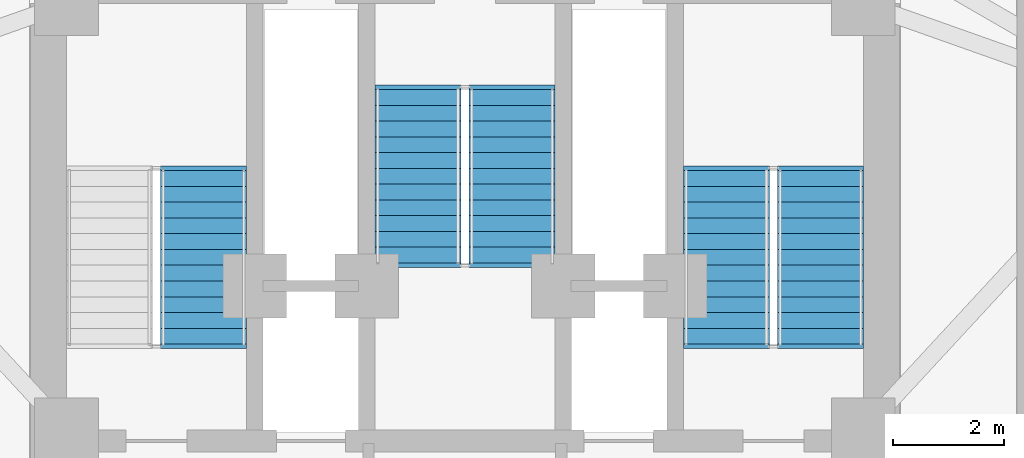
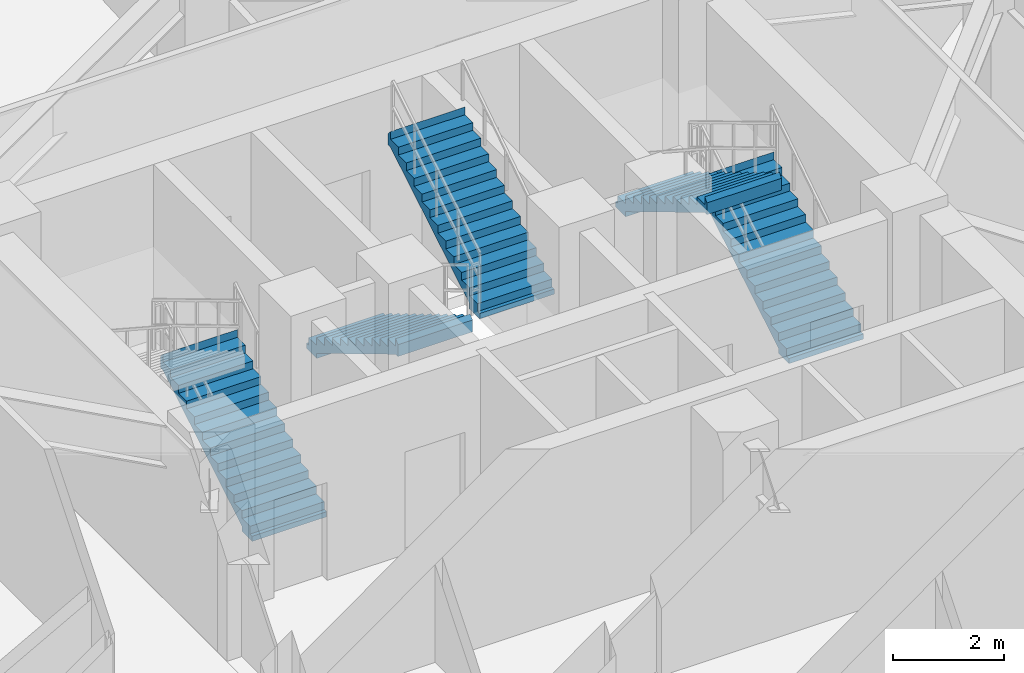
# One storey, part 7 of 11: 5 stair flights, 3 elements without a shape of their own.
"""IFC4 building model written with IfcOpenShell, lengths in metres."""

from ifc_helpers import new_model, si_unit, direction, frame, origin, place, context, subcontext, project, spatial, polyline, outline, extrude, material, type_object, element, aggregate, save


model = new_model("IFC4")

# Units and contexts
model_context = context("Model", 3, precision=1e-05, world=origin(), true_north=direction((0.0, 1.0)))
body_context = subcontext(model_context, "Body", "Model", "MODEL_VIEW")
ifc_project = project(units=[si_unit("LENGTHUNIT", "METRE"), si_unit("AREAUNIT", "SQUARE_METRE"), si_unit("VOLUMEUNIT", "CUBIC_METRE"), si_unit("PLANEANGLEUNIT", "RADIAN"), si_unit("MASSUNIT", "GRAM", prefix="KILO")], contexts=[model_context])

# Site, building, storey
site_placement = place(None, origin())
site = spatial("IfcSite", under=ifc_project, at=site_placement, CompositionType="ELEMENT")
building_placement = place(site_placement, origin())
building = spatial("IfcBuilding", under=site, at=building_placement, Name="Apsidion Concourse Tower", CompositionType="ELEMENT")
storey_placement = place(building_placement, frame((0.0, 0.0, 206.5)))
storey = spatial("IfcBuildingStorey", under=building, at=storey_placement, Name="L48", CompositionType="ELEMENT", Elevation=206.5)

# Stair, stair flight
ifc_material = material(Name="Precast concrete C40/50", Category="concrete")
stair_type = type_object("IfcStairType", Name="ST-DL-1550", PredefinedType="HALF_TURN_STAIR", material=ifc_material)
stair_1_placement = place(storey_placement, origin())
stair_1 = element("IfcStair", 1, at=stair_1_placement, inside=storey, type_object=stair_type, Name="L48 Protected Core Exit Stair ST1", PredefinedType="HALF_TURN_STAIR")
stair_flight_type = type_object("IfcStairFlightType", Name="SFL-RC-1550", PredefinedType="STRAIGHT", material=ifc_material)
stair_flight_1_placement = place(storey_placement, frame((-4.72509765625, 3.0, 0.0), z_axis=(0.0, 0.0, 1.0), x_axis=(0.0, 1.0, 0.0)))
stair_flight_1 = element("IfcStairFlight", 2, at=stair_flight_1_placement, type_object=stair_flight_type, Name="ST1 flight 1", NumberOfRisers=12, NumberOfTreads=11, PredefinedType="STRAIGHT", RiserHeight=0.170833333, TreadLength=0.285, context=body_context, shape_type="SweptSolid", body=[
    extrude(outline(polyline([(-0.080078125, -0.1123046875), (-0.080078125, 0.0), (0.0, 0.0), (0.0, 0.1708984375), (0.284912109375, 0.1708984375), (0.284912109375, 0.341552734375), (0.570068359375, 0.341552734375), (0.570068359375, 0.512451171875), (0.85498046875, 0.512451171875), (0.85498046875, 0.683349609375), (1.139892578125, 0.683349609375), (1.139892578125, 0.854248046875), (1.425048828125, 0.854248046875), (1.425048828125, 1.02490234375), (1.7099609375, 1.02490234375), (1.7099609375, 1.19580078125), (1.9951171875, 1.19580078125), (1.9951171875, 1.36669921875), (2.280029296875, 1.36669921875), (2.280029296875, 1.53759765625), (2.56494140625, 1.53759765625), (2.56494140625, 1.708251953125), (2.85009765625, 1.708251953125), (2.85009765625, 1.879150390625), (3.135009765625, 1.879150390625), (3.135009765625, 2.050048828125), (3.215087890625, 1.964599609375), (3.215087890625, 1.704345703125), (3.135009765625, 1.704345703125), (0.29150390625, 0.0), (0.29150390625, -0.1123046875), (-0.080078125, -0.1123046875)])), frame((0.0, 0.77490234375, 0.0), z_axis=(0.0, -1.0, 0.0), x_axis=(1.0, 0.0, 0.0)), (0.0, 0.0, 1.0), 1.550048828125),
])
aggregate(stair_1, [stair_flight_1])

# Stair, stair flights
stair_2_placement = place(storey_placement, origin())
stair_2 = element("IfcStair", 3, at=stair_2_placement, inside=storey, type_object=stair_type, Name="L48 Protected Core Exit Stair ST2", PredefinedType="HALF_TURN_STAIR")
stair_flight_2_placement = place(storey_placement, frame((6.425048828125, 3.0, 0.0), z_axis=(0.0, 0.0, 1.0), x_axis=(0.0, 1.0, 0.0)))
stair_flight_2 = element("IfcStairFlight", 4, at=stair_flight_2_placement, type_object=stair_flight_type, Name="ST2 flight 1", NumberOfRisers=12, NumberOfTreads=11, PredefinedType="STRAIGHT", RiserHeight=0.170833333, TreadLength=0.285, context=body_context, shape_type="SweptSolid", body=[
    extrude(outline(polyline([(-0.080078125, -0.1123046875), (-0.080078125, 0.0), (0.0, 0.0), (0.0, 0.1708984375), (0.284912109375, 0.1708984375), (0.284912109375, 0.341552734375), (0.570068359375, 0.341552734375), (0.570068359375, 0.512451171875), (0.85498046875, 0.512451171875), (0.85498046875, 0.683349609375), (1.139892578125, 0.683349609375), (1.139892578125, 0.854248046875), (1.425048828125, 0.854248046875), (1.425048828125, 1.02490234375), (1.7099609375, 1.02490234375), (1.7099609375, 1.19580078125), (1.9951171875, 1.19580078125), (1.9951171875, 1.36669921875), (2.280029296875, 1.36669921875), (2.280029296875, 1.53759765625), (2.56494140625, 1.53759765625), (2.56494140625, 1.708251953125), (2.85009765625, 1.708251953125), (2.85009765625, 1.879150390625), (3.135009765625, 1.879150390625), (3.135009765625, 2.050048828125), (3.215087890625, 1.964599609375), (3.215087890625, 1.704345703125), (3.135009765625, 1.704345703125), (0.29150390625, 0.0), (0.29150390625, -0.1123046875), (-0.080078125, -0.1123046875)])), frame((0.0, 0.77490234375, 0.0), z_axis=(0.0, -1.0, 0.0), x_axis=(1.0, 0.0, 0.0)), (0.0, 0.0, 1.0), 1.550048828125),
])
stair_flight_3_placement = place(storey_placement, frame((4.72509765625, 6.135009765625, 2.050048828125), z_axis=(0.0, 0.0, 1.0), x_axis=(0.0, -1.0, 0.0)))
stair_flight_3 = element("IfcStairFlight", 5, at=stair_flight_3_placement, type_object=stair_flight_type, Name="ST2 flight 2", NumberOfRisers=12, NumberOfTreads=11, PredefinedType="STRAIGHT", RiserHeight=0.170833333, TreadLength=0.285, context=body_context, shape_type="SweptSolid", body=[
    extrude(outline(polyline([(-0.080078125, -0.1123046875), (-0.080078125, 0.0), (0.0, 0.0), (0.0, 0.1708984375), (0.284912109375, 0.1708984375), (0.284912109375, 0.341552734375), (0.570068359375, 0.341552734375), (0.570068359375, 0.512451171875), (0.85498046875, 0.512451171875), (0.85498046875, 0.683349609375), (1.139892578125, 0.683349609375), (1.139892578125, 0.854248046875), (1.425048828125, 0.854248046875), (1.425048828125, 1.02490234375), (1.7099609375, 1.02490234375), (1.7099609375, 1.19580078125), (1.9951171875, 1.19580078125), (1.9951171875, 1.36669921875), (2.280029296875, 1.36669921875), (2.280029296875, 1.53759765625), (2.56494140625, 1.53759765625), (2.56494140625, 1.708251953125), (2.85009765625, 1.708251953125), (2.85009765625, 1.879150390625), (3.135009765625, 1.879150390625), (3.135009765625, 2.050048828125), (3.215087890625, 1.964599609375), (3.215087890625, 1.704345703125), (3.135009765625, 1.704345703125), (0.29150390625, 0.0), (0.29150390625, -0.1123046875), (-0.080078125, -0.1123046875)])), frame((0.0, 0.77490234375, 0.0), z_axis=(0.0, -1.0, 0.0), x_axis=(1.0, 0.0, 0.0)), (0.0, 0.0, 1.0), 1.550048828125),
])
aggregate(stair_2, [stair_flight_2, stair_flight_3])

stair_3_placement = place(storey_placement, origin())
stair_3 = element("IfcStair", 6, at=stair_3_placement, inside=storey, type_object=stair_type, Name="L48 Protected Core Exit Stair ST3", PredefinedType="HALF_TURN_STAIR")
stair_flight_4_placement = place(storey_placement, frame((-0.85009765625, 7.60009765625, 0.0), z_axis=(0.0, 0.0, 1.0), x_axis=(0.0, -1.0, 0.0)))
stair_flight_4 = element("IfcStairFlight", 7, at=stair_flight_4_placement, type_object=stair_flight_type, Name="ST3 flight 1", NumberOfRisers=12, NumberOfTreads=11, PredefinedType="STRAIGHT", RiserHeight=0.170833333, TreadLength=0.285, context=body_context, shape_type="SweptSolid", body=[
    extrude(outline(polyline([(-0.080078125, -0.1123046875), (-0.080078125, 0.0), (0.0, 0.0), (0.0, 0.1708984375), (0.284912109375, 0.1708984375), (0.284912109375, 0.341552734375), (0.570068359375, 0.341552734375), (0.570068359375, 0.512451171875), (0.85498046875, 0.512451171875), (0.85498046875, 0.683349609375), (1.139892578125, 0.683349609375), (1.139892578125, 0.854248046875), (1.425048828125, 0.854248046875), (1.425048828125, 1.02490234375), (1.7099609375, 1.02490234375), (1.7099609375, 1.19580078125), (1.9951171875, 1.19580078125), (1.9951171875, 1.36669921875), (2.280029296875, 1.36669921875), (2.280029296875, 1.53759765625), (2.56494140625, 1.53759765625), (2.56494140625, 1.708251953125), (2.85009765625, 1.708251953125), (2.85009765625, 1.879150390625), (3.135009765625, 1.879150390625), (3.135009765625, 2.050048828125), (3.215087890625, 1.964599609375), (3.215087890625, 1.704345703125), (3.135009765625, 1.704345703125), (0.29150390625, 0.0), (0.29150390625, -0.1123046875), (-0.080078125, -0.1123046875)])), frame((0.0, 0.77490234375, 0.0), z_axis=(0.0, -1.0, 0.0), x_axis=(1.0, 0.0, 0.0)), (0.0, 0.0, 1.0), 1.550048828125),
])
stair_flight_5_placement = place(storey_placement, frame((0.85009765625, 4.465087890625, 2.050048828125), z_axis=(0.0, 0.0, 1.0), x_axis=(0.0, 1.0, 0.0)))
stair_flight_5 = element("IfcStairFlight", 8, at=stair_flight_5_placement, type_object=stair_flight_type, Name="ST3 flight 2", NumberOfRisers=12, NumberOfTreads=11, PredefinedType="STRAIGHT", RiserHeight=0.170833333, TreadLength=0.285, context=body_context, shape_type="SweptSolid", body=[
    extrude(outline(polyline([(-0.080078125, -0.1123046875), (-0.080078125, 0.0), (0.0, 0.0), (0.0, 0.1708984375), (0.284912109375, 0.1708984375), (0.284912109375, 0.341552734375), (0.570068359375, 0.341552734375), (0.570068359375, 0.512451171875), (0.85498046875, 0.512451171875), (0.85498046875, 0.683349609375), (1.139892578125, 0.683349609375), (1.139892578125, 0.854248046875), (1.425048828125, 0.854248046875), (1.425048828125, 1.02490234375), (1.7099609375, 1.02490234375), (1.7099609375, 1.19580078125), (1.9951171875, 1.19580078125), (1.9951171875, 1.36669921875), (2.280029296875, 1.36669921875), (2.280029296875, 1.53759765625), (2.56494140625, 1.53759765625), (2.56494140625, 1.708251953125), (2.85009765625, 1.708251953125), (2.85009765625, 1.879150390625), (3.135009765625, 1.879150390625), (3.135009765625, 2.050048828125), (3.215087890625, 1.964599609375), (3.215087890625, 1.704345703125), (3.135009765625, 1.704345703125), (0.29150390625, 0.0), (0.29150390625, -0.1123046875), (-0.080078125, -0.1123046875)])), frame((0.0, 0.77490234375, 0.0), z_axis=(0.0, -1.0, 0.0), x_axis=(1.0, 0.0, 0.0)), (0.0, 0.0, 1.0), 1.550048828125),
])
aggregate(stair_3, [stair_flight_4, stair_flight_5])

save(model, "model.ifc")
